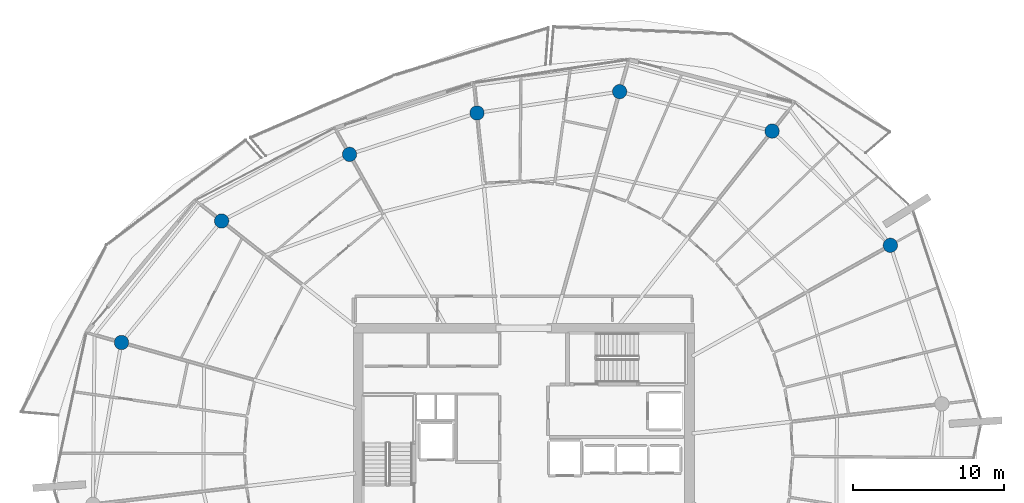
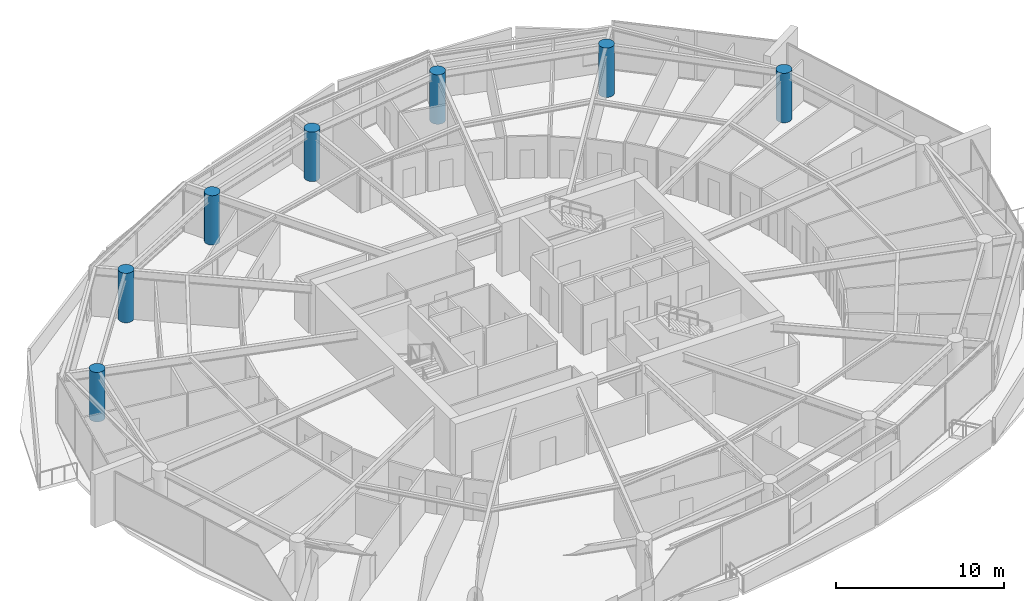
# One storey, part 4 of 30: 7 columns.
"""IFC4 building model written with IfcOpenShell, lengths in metres."""

from ifc_helpers import new_model, si_unit, direction, frame, origin, origin_2d, place, context, subcontext, project, spatial, circle, extrude, material, material_profile, profile_set, type_object, element, save


model = new_model("IFC4")

# Units and contexts
model_context = context("Model", 3, precision=1e-05, world=origin(), true_north=direction((0.0, 1.0)))
body_context = subcontext(model_context, "Body", "Model", "MODEL_VIEW")
ifc_project = project(units=[si_unit("LENGTHUNIT", "METRE"), si_unit("AREAUNIT", "SQUARE_METRE"), si_unit("VOLUMEUNIT", "CUBIC_METRE"), si_unit("PLANEANGLEUNIT", "RADIAN"), si_unit("MASSUNIT", "GRAM", prefix="KILO")], contexts=[model_context])

# Site, building, storey
site_placement = place(None, origin())
site = spatial("IfcSite", under=ifc_project, at=site_placement, CompositionType="ELEMENT")
building_placement = place(site_placement, origin())
building = spatial("IfcBuilding", under=site, at=building_placement, Name="Kazma Halo Residences", CompositionType="ELEMENT")
storey_placement = place(building_placement, frame((0.0, 0.0, 255.949951171875)))
storey = spatial("IfcBuildingStorey", under=building, at=storey_placement, Name="L64", CompositionType="ELEMENT", Elevation=255.949951171875)

# Columns
ifc_material = material(Name="Concrete C60/75", Category="concrete")
ifc_material_profile = material_profile(ifc_material, circle(Radius=0.47509765625, at=origin_2d()), Name="CIRC950")
ifc_profile_set = profile_set([ifc_material_profile], Name="Concrete C60/75")
column_type = type_object("IfcColumnType", Name="COL-PERIM-950", PredefinedType="COLUMN", material=ifc_profile_set)
for number, where, z_axis, x_axis, name in (
    (1, (72.67041015625, 55.81591796875, 0.0), (0.0, 0.0, 1.0), (1.0, 0.0, 0.0), "L64 perimeter ring column P01"),
    (2, (64.84716796875, 63.37060546875, 0.0), (0.0, 0.0, 1.0), (1.0, 0.0, 0.0), "L64 perimeter ring column P02"),
    (3, (54.762939453125, 65.9794921875, 0.0), (0.0, 0.0, 1.0), (1.0, 0.0, 0.0), "L64 perimeter ring column P03"),
    (4, (45.32861328125, 64.57080078125, 0.0), (0.0, 0.0, 1.0), (1.0, 0.0, 0.0), "L64 perimeter ring column P04"),
    (5, (36.89453125, 61.830322265625, 0.0), (0.0, 0.0, 1.0), (1.0, 0.0, 0.0), "L64 perimeter ring column P05"),
    (6, (28.433837890625, 57.4248046875, 0.0), (0.0, 0.0, 1.0), (1.0, 0.0, 0.0), "L64 perimeter ring column P06"),
    (7, (21.80908203125, 49.38671875, 0.0), (0.0, 0.0, 1.0), (1.0, 0.0, 0.0), "L64 perimeter ring column P07"),
):
    element("IfcColumn", number, at=place(storey_placement, frame(where, z_axis=z_axis, x_axis=x_axis)), inside=storey, type_object=column_type, Name=name, PredefinedType="COLUMN", context=body_context, shape_type="SweptSolid", body=[
        extrude(circle(Radius=0.47509765625, at=origin_2d()), origin(), (0.0, 0.0, 1.0), 3.590087890625),
    ])

save(model, "model.ifc")
